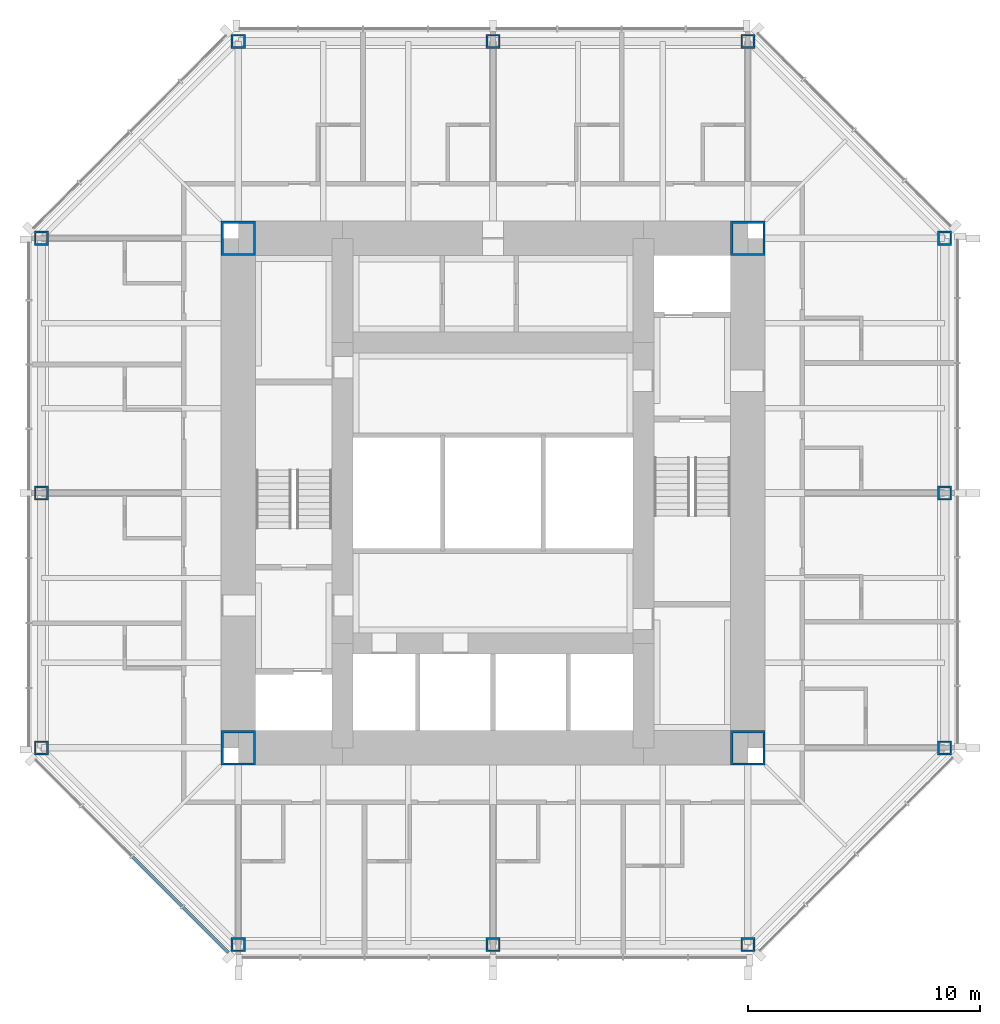
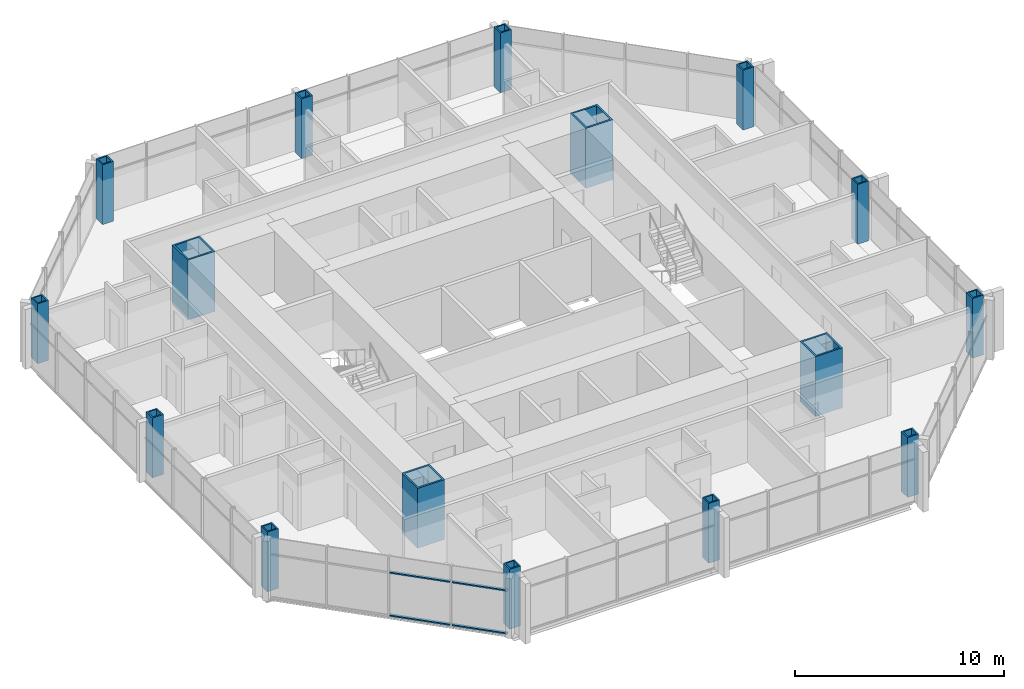
# One storey, part 1 of 12: 16 columns, 4 members, 1 element without a shape of its own.
"""IFC4 building model written with IfcOpenShell, lengths in metres."""

from ifc_helpers import new_model, si_unit, direction, frame, origin, origin_2d, place, context, subcontext, project, spatial, rectangle, hollow_rectangle, extrude, material, material_profile, profile_set, type_object, element, aggregate, save


model = new_model("IFC4")

# Units and contexts
model_context = context("Model", 3, precision=1e-05, world=origin(), true_north=direction((0.0, 1.0)))
body_context = subcontext(model_context, "Body", "Model", "MODEL_VIEW")
ifc_project = project(units=[si_unit("LENGTHUNIT", "METRE"), si_unit("AREAUNIT", "SQUARE_METRE"), si_unit("VOLUMEUNIT", "CUBIC_METRE"), si_unit("PLANEANGLEUNIT", "RADIAN"), si_unit("MASSUNIT", "GRAM", prefix="KILO")], contexts=[model_context])

# Site, building, storey
site_placement = place(None, origin())
site = spatial("IfcSite", under=ifc_project, at=site_placement, CompositionType="ELEMENT")
building_placement = place(site_placement, origin())
building = spatial("IfcBuilding", under=site, at=building_placement, Name="Trevanion Tower", CompositionType="ELEMENT")
storey_placement = place(building_placement, frame((0.0, 0.0, 194.199951171875)))
storey = spatial("IfcBuildingStorey", under=building, at=storey_placement, Name="L45", CompositionType="ELEMENT", Elevation=194.199951171875)

# Columns
ifc_material_1 = material(Name="Steel ASTM A572 Grade 50", Category="steel")
ifc_material_profile_1 = material_profile(ifc_material_1, hollow_rectangle(XDim=0.609619140625, YDim=0.609619140625, WallThickness=0.076171875, at=origin_2d()), Name="BOX24X24X3")
ifc_profile_set_1 = profile_set([ifc_material_profile_1], Name="Steel ASTM A572 Grade 50")
column_type_1 = type_object("IfcColumnType", Name="C5 BOX24X24X3", PredefinedType="COLUMN", material=ifc_profile_set_1)
for number, where, z_axis, x_axis, name in (
    (1, (-19.5, 0.0, 0.0), (0.0, 0.0, 1.0), (0.0, 1.0, 0.0), "C5 5/H L45"),
    (2, (-19.5, -11.0, 0.0), (0.0, 0.0, 1.0), (0.0, 1.0, 0.0), "C5 5/F L45"),
    (3, (-11.0, -19.5, 0.0), (0.0, 0.0, 1.0), (1.0, 0.0, 0.0), "C5 8/C L45"),
    (4, (0.0, -19.5, 0.0), (0.0, 0.0, 1.0), (1.0, 0.0, 0.0), "C5 10/C L45"),
    (5, (11.0, -19.5, 0.0), (0.0, 0.0, 1.0), (1.0, 0.0, 0.0), "C5 12/C L45"),
    (6, (19.5, -11.0, 0.0), (0.0, 0.0, 1.0), (0.0, 1.0, 0.0), "C5 15/F L45"),
    (7, (19.5, 0.0, 0.0), (0.0, 0.0, 1.0), (0.0, 1.0, 0.0), "C5 15/H L45"),
    (8, (19.5, 11.0, 0.0), (0.0, 0.0, 1.0), (0.0, 1.0, 0.0), "C5 15/K L45"),
    (9, (11.0, 19.5, 0.0), (0.0, 0.0, 1.0), (1.0, 0.0, 0.0), "C5 12/N L45"),
    (10, (0.0, 19.5, 0.0), (0.0, 0.0, 1.0), (1.0, 0.0, 0.0), "C5 10/N L45"),
    (11, (-11.0, 19.5, 0.0), (0.0, 0.0, 1.0), (1.0, 0.0, 0.0), "C5 8/N L45"),
    (12, (-19.5, 11.0, 0.0), (0.0, 0.0, 1.0), (0.0, 1.0, 0.0), "C5 5/K L45"),
):
    element("IfcColumn", number, at=place(storey_placement, frame(where, z_axis=z_axis, x_axis=x_axis)), inside=storey, type_object=column_type_1, Name=name, PredefinedType="COLUMN", context=body_context, shape_type="SweptSolid", body=[
        extrude(hollow_rectangle(XDim=0.609619140625, YDim=0.609619140625, WallThickness=0.076171875, at=origin_2d()), origin(), (0.0, 0.0, 1.0), 3.5),
    ])
ifc_material_2 = material(Name="Steel ASTM A572 Grade 50", Category="steel")
ifc_material_profile_2 = material_profile(ifc_material_2, hollow_rectangle(XDim=1.49853515625, YDim=1.49853515625, WallThickness=0.1015625, at=origin_2d()), Name="BOX59X59X4")
ifc_profile_set_2 = profile_set([ifc_material_profile_2], Name="Steel ASTM A572 Grade 50")
column_type_2 = type_object("IfcColumnType", Name="CB1 BOX59X59X4", PredefinedType="COLUMN", material=ifc_profile_set_2)
for number, where, z_axis, x_axis, name in (
    (13, (11.0, 11.0, 0.0), (0.0, 0.0, 1.0), (1.0, 0.0, 0.0), "CB1 NE L45"),
    (14, (-11.0, 11.0, 0.0), (0.0, 0.0, 1.0), (1.0, 0.0, 0.0), "CB1 NW L45"),
    (15, (-11.0, -11.0, 0.0), (0.0, 0.0, 1.0), (1.0, 0.0, 0.0), "CB1 SW L45"),
    (16, (11.0, -11.0, 0.0), (0.0, 0.0, 1.0), (1.0, 0.0, 0.0), "CB1 SE L45"),
):
    element("IfcColumn", number, at=place(storey_placement, frame(where, z_axis=z_axis, x_axis=x_axis)), inside=storey, type_object=column_type_2, Name=name, PredefinedType="COLUMN", context=body_context, shape_type="SweptSolid", body=[
        extrude(hollow_rectangle(XDim=1.49853515625, YDim=1.49853515625, WallThickness=0.1015625, at=origin_2d()), origin(), (0.0, 0.0, 1.0), 3.5),
    ])

# Curtain wall, members
ifc_material_3 = material(Name="Aluminium and glass", Category="aluminium")
curtain_wall_type = type_object("IfcCurtainWallType", Name="CW3 curtain wall", PredefinedType="USERDEFINED", material=ifc_material_3)
curtain_wall_placement = place(storey_placement, origin())
curtain_wall = element("IfcCurtainWall", 17, at=curtain_wall_placement, inside=storey, type_object=curtain_wall_type, Name="CW3 L45 5", ObjectType="UNITISED CURTAIN WALL", PredefinedType="USERDEFINED")
ifc_material_4 = material(Name="Aluminium extrusion, anodised bronze", Category="aluminium")
ifc_material_profile_3 = material_profile(ifc_material_4, rectangle(XDim=0.14990234375, YDim=0.074951171875, at=origin_2d()), Name="CW3 transom")
ifc_profile_set_3 = profile_set([ifc_material_profile_3], Name="Aluminium extrusion, anodised bronze")
member_type = type_object("IfcMemberType", Name="CW3 transom", PredefinedType="USERDEFINED", material=ifc_profile_set_3)
member_1_placement = place(storey_placement, frame((-15.56640625, -15.71142578125, -0.15234375), z_axis=(0.707106781187, -0.707106781187, 0.0), x_axis=(0.707106781187, 0.707106781187, 0.0)))
member_1 = element("IfcMember", 18, at=member_1_placement, type_object=member_type, Name="CW3 transom 3.1", ObjectType="TRANSOM", PredefinedType="USERDEFINED", context=body_context, shape_type="SweptSolid", body=[
    extrude(rectangle(XDim=0.14990234375, YDim=0.074951171875, at=origin_2d()), origin(), (0.0, 0.0, 1.0), 3.011474609375),
])
member_2_placement = place(storey_placement, frame((-15.56640625, -15.71142578125, 2.360107421875), z_axis=(0.707106781187, -0.707106781187, 0.0), x_axis=(0.707106781187, 0.707106781187, 0.0)))
member_2 = element("IfcMember", 19, at=member_2_placement, type_object=member_type, Name="CW3 transom 3.2", ObjectType="TRANSOM", PredefinedType="USERDEFINED", context=body_context, shape_type="SweptSolid", body=[
    extrude(rectangle(XDim=0.14990234375, YDim=0.074951171875, at=origin_2d()), origin(), (0.0, 0.0, 1.0), 3.011474609375),
])
member_3_placement = place(storey_placement, frame((-13.3837890625, -17.89404296875, -0.15234375), z_axis=(0.707106781187, -0.707106781187, 0.0), x_axis=(0.707106781187, 0.707106781187, 0.0)))
member_3 = element("IfcMember", 20, at=member_3_placement, type_object=member_type, Name="CW3 transom 4.1", ObjectType="TRANSOM", PredefinedType="USERDEFINED", context=body_context, shape_type="SweptSolid", body=[
    extrude(rectangle(XDim=0.14990234375, YDim=0.074951171875, at=origin_2d()), origin(), (0.0, 0.0, 1.0), 2.7490234375),
])
member_4_placement = place(storey_placement, frame((-13.3837890625, -17.89404296875, 2.360107421875), z_axis=(0.707106781187, -0.707106781187, 0.0), x_axis=(0.707106781187, 0.707106781187, 0.0)))
member_4 = element("IfcMember", 21, at=member_4_placement, type_object=member_type, Name="CW3 transom 4.2", ObjectType="TRANSOM", PredefinedType="USERDEFINED", context=body_context, shape_type="SweptSolid", body=[
    extrude(rectangle(XDim=0.14990234375, YDim=0.074951171875, at=origin_2d()), origin(), (0.0, 0.0, 1.0), 2.7490234375),
])
aggregate(curtain_wall, [member_1, member_2, member_3, member_4])

save(model, "model.ifc")
